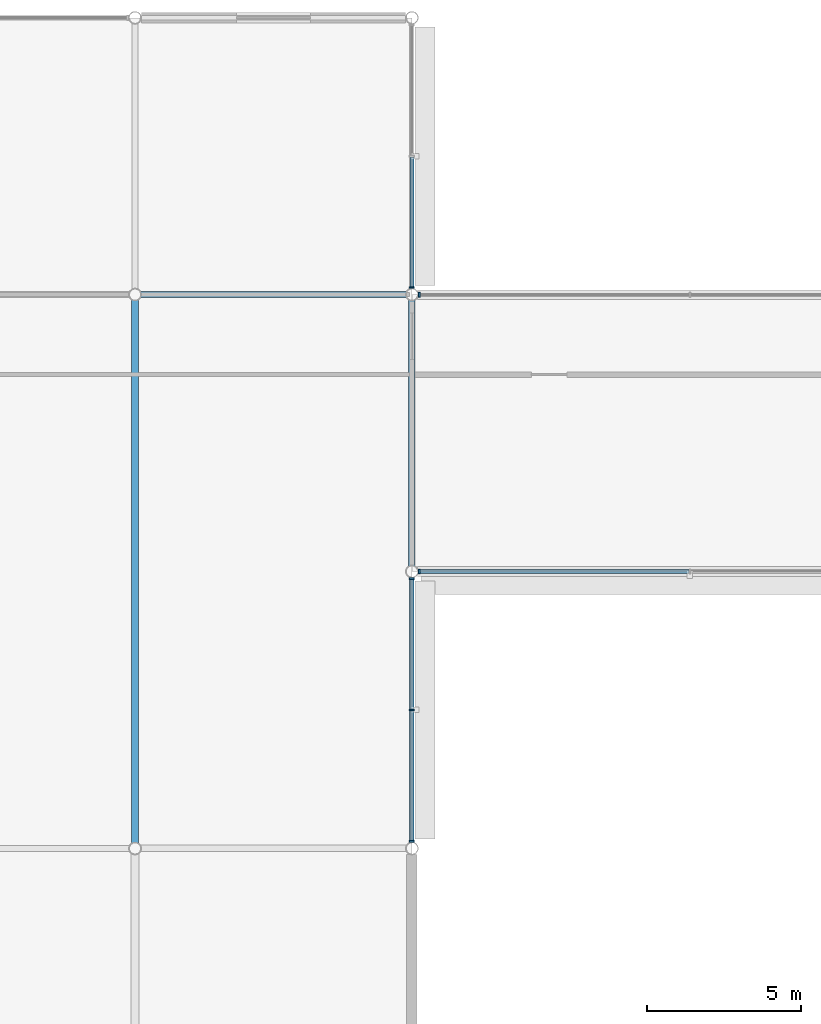
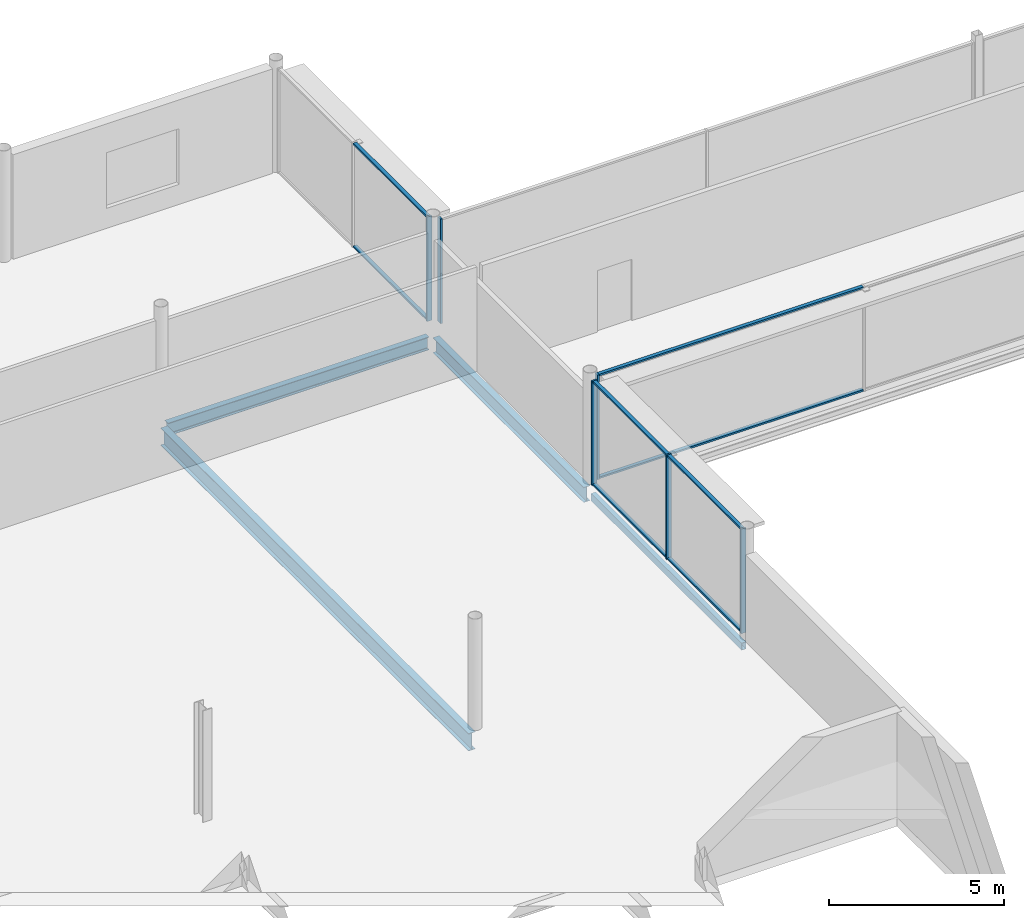
# One storey, part 31 of 96: 14 members, 4 beams, 4 elements without a shape of their own.
"""IFC4 building model written with IfcOpenShell, lengths in metres."""

import ifcopenshell
import ifcopenshell.guid

model = None  # the IFC model being written
_history = None  # IfcOwnerHistory: only IFC2X3 demands one
_inside = {}  # id of a spatial element -> (the spatial element, [elements in it])
_under = {}  # id of a project, library or spatial element -> (it, [spatial elements below it])
_declared = {}  # id of a project -> (the project, [libraries it declares])
_typed = {}  # id of a type object -> (the type object, [elements of that type])
_made_of = {}  # id of a material, layer set ... -> (it, [elements and type objects made of it])


def new_model(schema):
    """Start an empty IFC model of exactly this schema.

    Asked for "IFC4X3", IfcOpenShell would pick the latest addendum, in which some entities
    have other attributes; the version numbers below select the first issue.
    IFC2X3 requires an IfcOwnerHistory on every rooted entity: one is made here for all.
    """
    global model, _history
    if schema == "IFC4X3":
        model = ifcopenshell.file(schema_version=(4, 3, 0, 0))
    else:
        model = ifcopenshell.file(schema=schema)
    _inside.clear()
    _under.clear()
    _declared.clear()
    _typed.clear()
    _made_of.clear()
    _history = None
    if model.schema == "IFC2X3":
        org = make("IfcOrganization", Name="unknown")
        user = make(
            "IfcPersonAndOrganization",
            ThePerson=make("IfcPerson", FamilyName="unknown"),
            TheOrganization=org,
        )
        app = make(
            "IfcApplication",
            ApplicationDeveloper=org,
            Version="unknown",
            ApplicationFullName="unknown",
            ApplicationIdentifier="unknown",
        )
        _history = make(
            "IfcOwnerHistory",
            OwningUser=user,
            OwningApplication=app,
            ChangeAction="ADDED",
            CreationDate=0,
        )
    return model


def make(cls, **values):
    """One entity of the class cls with the attributes given. An attribute that is None is left unset."""
    return model.create_entity(
        cls, **{name: value for name, value in values.items() if value is not None}
    )


def rooted(cls, **values):
    """An entity with a GlobalId (a new one), such as an element, a storey or a relation."""
    return make(cls, GlobalId=ifcopenshell.guid.new(), OwnerHistory=_history, **values)


def si_unit(unit_type, name, prefix=None):
    """IfcSIUnit, for example si_unit("LENGTHUNIT", "METRE", prefix="MILLI")."""
    return make("IfcSIUnit", UnitType=unit_type, Prefix=prefix, Name=name)


def assignment(units):
    """IfcUnitAssignment: the units of a project."""
    return None if units is None else make("IfcUnitAssignment", Units=units)


def point(xyz):
    """IfcCartesianPoint."""
    return None if xyz is None else make("IfcCartesianPoint", Coordinates=xyz)


def direction(xyz):
    """IfcDirection."""
    return None if xyz is None else make("IfcDirection", DirectionRatios=xyz)


def frame(location, z_axis=None, x_axis=None):
    """IfcAxis2Placement3D, a coordinate frame: its origin and axes. An axis left out is left unset."""
    return make(
        "IfcAxis2Placement3D",
        Location=point(location),
        Axis=direction(z_axis),
        RefDirection=direction(x_axis),
    )


def frame_2d(location, x_axis=None):
    """IfcAxis2Placement2D, a coordinate frame in the plane: its origin and x axis."""
    return make(
        "IfcAxis2Placement2D", Location=point(location), RefDirection=direction(x_axis)
    )


def origin():
    """The frame at (0, 0, 0) with its axes left unset."""
    return frame((0.0, 0.0, 0.0))


def origin_2d():
    """The frame at (0, 0) in the plane with its x axis left unset."""
    return frame_2d((0.0, 0.0))


def place(relative_to, where):
    """IfcLocalPlacement: puts the frame where relative to a parent placement (None: the world)."""
    return make(
        "IfcLocalPlacement", PlacementRelTo=relative_to, RelativePlacement=where
    )


def context(
    kind, dimensions, precision=None, world=None, true_north=None, identifier=None
):
    """IfcGeometricRepresentationContext, for example the 3D "Model" context."""
    return make(
        "IfcGeometricRepresentationContext",
        ContextIdentifier=identifier,
        ContextType=kind,
        CoordinateSpaceDimension=dimensions,
        Precision=precision,
        WorldCoordinateSystem=world,
        TrueNorth=true_north,
    )


def subcontext(parent, identifier, kind, view, scale=None):
    """IfcGeometricRepresentationSubContext, for example "Body" below "Model"."""
    return make(
        "IfcGeometricRepresentationSubContext",
        ContextIdentifier=identifier,
        ContextType=kind,
        ParentContext=parent,
        TargetScale=scale,
        TargetView=view,
    )


def project(units=None, contexts=None):
    """IfcProject with its units and contexts."""
    return rooted(
        "IfcProject",
        Name="project",
        RepresentationContexts=contexts,
        UnitsInContext=assignment(units),
    )


def spatial(cls, under=None, at=None, **own):
    """A site, building, storey or space (cls), placed at a placement, below another one or the project."""
    s = rooted(cls, ObjectPlacement=at, **own)
    if under is not None:
        _under.setdefault(under.id(), (under, []))[1].append(s)
    return s


def profile(cls, at=None, kind="AREA", **sizes):
    """A parametric profile (cls). Its sizes go by their IFC names, for example OverallWidth=200.0."""
    return make(cls, ProfileType=kind, Position=at, **sizes)


def rectangle(**sizes):
    """IfcRectangleProfileDef."""
    return profile("IfcRectangleProfileDef", **sizes)


def hollow_rectangle(**sizes):
    """IfcRectangleHollowProfileDef."""
    return profile("IfcRectangleHollowProfileDef", **sizes)


def i_section(**sizes):
    """IfcIShapeProfileDef."""
    return profile("IfcIShapeProfileDef", **sizes)


def extrude(swept, where, along, depth):
    """IfcExtrudedAreaSolid: the profile swept, set in the frame where, extruded along a direction by depth."""
    return make(
        "IfcExtrudedAreaSolid",
        SweptArea=swept,
        Position=where,
        ExtrudedDirection=direction(along),
        Depth=depth,
    )


def shape(context_of_items, identifier, shape_type, items):
    """IfcShapeRepresentation: the items that make up one representation, for example the "Body"."""
    return make(
        "IfcShapeRepresentation",
        ContextOfItems=context_of_items,
        RepresentationIdentifier=identifier,
        RepresentationType=shape_type,
        Items=items,
    )


def material(Name=None, Category=None):
    """IfcMaterial."""
    return make("IfcMaterial", Name=Name, Category=Category)


def layer(
    of_material, thickness, ventilated=None, Name=None, Category=None, Priority=None
):
    """IfcMaterialLayer: one layer of a wall or slab, of a material (None: an air gap)."""
    return make(
        "IfcMaterialLayer",
        Material=of_material,
        LayerThickness=thickness,
        IsVentilated=ventilated,
        Name=Name,
        Category=Category,
        Priority=Priority,
    )


def layer_set(layers, Name=None):
    """IfcMaterialLayerSet."""
    return make("IfcMaterialLayerSet", MaterialLayers=layers, LayerSetName=Name)


def material_profile(
    of_material, cross_section, Name=None, Category=None, Priority=None
):
    """IfcMaterialProfile: a cross section and its material."""
    return make(
        "IfcMaterialProfile",
        Name=Name,
        Material=of_material,
        Profile=cross_section,
        Priority=Priority,
        Category=Category,
    )


def profile_set(profiles, Name=None, composite=None):
    """IfcMaterialProfileSet."""
    return make(
        "IfcMaterialProfileSet",
        Name=Name,
        MaterialProfiles=profiles,
        CompositeProfile=composite,
    )


def made_of(thing, what):
    """Note that an element or type object is made of a material, layer set ...; save() writes the relation."""
    if what is not None:
        _made_of.setdefault(what.id(), (what, []))[1].append(thing)
    return thing


def type_object(cls, material=None, **own):
    """A type object (cls), such as IfcWallType, which elements share."""
    return made_of(rooted(cls, **own), material)


def element(
    cls,
    number,
    at=None,
    inside=None,
    cuts=None,
    type_object=None,
    material=None,
    context=None,
    identifier="Body",
    shape_type=None,
    held_by="IfcProductDefinitionShape",
    body=None,
    shapes=None,
    **own,
):
    """One element of the class cls, such as IfcWall. Its Tag is "e" and its number.

    at: its placement. inside: the storey or other place that contains it. cuts: it is an
    opening in that element (IfcRelVoidsElement). A single representation is given by context,
    identifier, shape_type and body (its items); several are given by shapes. held_by: the class
    of the entity that holds the representations. save() writes the other relations.
    """
    e = rooted(cls, Tag="e%d" % number, ObjectPlacement=at, **own)
    if body is not None:
        shapes = [shape(context, identifier, shape_type, body)]
    if shapes is not None:
        e.Representation = make(held_by, Representations=shapes)
    if inside is not None:
        _inside.setdefault(inside.id(), (inside, []))[1].append(e)
    if cuts is not None:
        rooted(
            "IfcRelVoidsElement", RelatingBuildingElement=cuts, RelatedOpeningElement=e
        )
    if type_object is not None:
        _typed.setdefault(type_object.id(), (type_object, []))[1].append(e)
    return made_of(e, material)


def aggregate(whole, parts):
    """IfcRelAggregates: a whole, such as a stair, and the parts it consists of."""
    return rooted("IfcRelAggregates", RelatingObject=whole, RelatedObjects=parts)


def save(model, path):
    """Write the relations noted so far, then the file.

    IfcRelAggregates (storeys below a building ...), IfcRelContainedInSpatialStructure (elements
    in a storey), IfcRelDefinesByType, IfcRelAssociatesMaterial and IfcRelDeclares: one each for
    every whole, place, type object, material and project.
    """
    for whole, parts in _under.values():
        aggregate(whole, parts)
    for where, things in _inside.values():
        rooted(
            "IfcRelContainedInSpatialStructure",
            RelatedElements=things,
            RelatingStructure=where,
        )
    for kind, things in _typed.values():
        rooted("IfcRelDefinesByType", RelatedObjects=things, RelatingType=kind)
    for what, things in _made_of.values():
        rooted("IfcRelAssociatesMaterial", RelatedObjects=things, RelatingMaterial=what)
    for by, libraries in _declared.values():
        rooted("IfcRelDeclares", RelatingContext=by, RelatedDefinitions=libraries)
    model.write(path)


model = new_model("IFC4")

# Units and contexts
model_context = context("Model", 3, precision=1e-05, world=origin(), true_north=direction((0.0, 1.0)))
body_context = subcontext(model_context, "Body", "Model", "MODEL_VIEW")
ifc_project = project(units=[si_unit("LENGTHUNIT", "METRE"), si_unit("AREAUNIT", "SQUARE_METRE"), si_unit("VOLUMEUNIT", "CUBIC_METRE"), si_unit("PLANEANGLEUNIT", "RADIAN"), si_unit("MASSUNIT", "GRAM", prefix="KILO")], contexts=[model_context])

# Site, building, storey
site_placement = place(None, origin())
site = spatial("IfcSite", under=ifc_project, at=site_placement, CompositionType="ELEMENT")
building_placement = place(site_placement, origin())
building = spatial("IfcBuilding", under=site, at=building_placement, Name="Kisiwana Market Hall", CompositionType="ELEMENT")
storey_placement = place(building_placement, frame((0.0, 0.0, 25.5)))
storey = spatial("IfcBuildingStorey", under=building, at=storey_placement, Name="L05", CompositionType="ELEMENT", Elevation=25.5)

# Beams
ifc_material_1 = material(Name="Steel S355", Category="steel")
ifc_material_profile_1 = material_profile(ifc_material_1, i_section(OverallWidth=0.18994140625, OverallDepth=0.449951171875, WebThickness=0.009521484375, FlangeThickness=0.0146484375, FilletRadius=0.02099609375, at=origin_2d()), Name="IPE 450")
ifc_profile_set_1 = profile_set([ifc_material_profile_1], Name="Steel S355")
beam_type_1 = type_object("IfcBeamType", Name="BM-GIRD-IPE450", PredefinedType="BEAM", material=ifc_profile_set_1)
beam_1_placement = place(storey_placement, frame((36.182373046875, 102.0, -0.5400390625), z_axis=(1.0, 0.0, 0.0), x_axis=(0.0, 1.0, 0.0)))
element("IfcBeam", 1, at=beam_1_placement, inside=storey, type_object=beam_type_1, Name="Floor beam B-1650", PredefinedType="BEAM", context=body_context, shape_type="SweptSolid", body=[
    extrude(i_section(OverallWidth=0.18994140625, OverallDepth=0.449951171875, WebThickness=0.009521484375, FlangeThickness=0.0146484375, FilletRadius=0.02099609375, at=origin_2d()), origin(), (0.0, 0.0, 1.0), 8.63525390625),
])
ifc_material_2 = material(Name="Steel S355", Category="steel")
ifc_material_profile_2 = material_profile(ifc_material_2, i_section(OverallWidth=0.209228515625, OverallDepth=0.533203125, WebThickness=0.010009765625, FlangeThickness=0.015625, at=origin_2d()), Name="UB 533x210x92")
ifc_profile_set_2 = profile_set([ifc_material_profile_2], Name="Steel S355")
beam_type_2 = type_object("IfcBeamType", Name="BM-GIRD-UB533", PredefinedType="BEAM", material=ifc_profile_set_2)
beam_2_placement = place(storey_placement, frame((45.0, 93.18017578125, -0.58154296875), z_axis=(0.0, 1.0, 0.0), x_axis=(-1.0, 0.0, 0.0)))
element("IfcBeam", 2, at=beam_2_placement, inside=storey, type_object=beam_type_2, Name="Primary girder B-1538", PredefinedType="BEAM", context=body_context, shape_type="SweptSolid", body=[
    extrude(i_section(OverallWidth=0.209228515625, OverallDepth=0.533203125, WebThickness=0.010009765625, FlangeThickness=0.015625, at=origin_2d()), origin(), (0.0, 0.0, 1.0), 8.6396484375),
])
ifc_material_3 = material(Name="Steel S355", Category="steel")
ifc_material_profile_3 = material_profile(ifc_material_3, i_section(OverallWidth=0.22900390625, OverallDepth=0.6123046875, WebThickness=0.011962890625, FlangeThickness=0.01953125, at=origin_2d()), Name="UB 610x229x125")
ifc_profile_set_3 = profile_set([ifc_material_profile_3], Name="Steel S355")
beam_type_3 = type_object("IfcBeamType", Name="BM-GIRD-UB610H", PredefinedType="BEAM", material=ifc_profile_set_3)
beam_3_placement = place(storey_placement, frame((36.0, 84.18017578125, -0.62109375), z_axis=(0.0, 1.0, 0.0), x_axis=(-1.0, 0.0, 0.0)))
element("IfcBeam", 3, at=beam_3_placement, inside=storey, type_object=beam_type_3, Name="Primary girder B-1535", PredefinedType="BEAM", context=body_context, shape_type="SweptSolid", body=[
    extrude(i_section(OverallWidth=0.22900390625, OverallDepth=0.6123046875, WebThickness=0.011962890625, FlangeThickness=0.01953125, at=origin_2d()), origin(), (0.0, 0.0, 1.0), 17.6396484375),
])
ifc_material_4 = material(Name="Steel S355", Category="steel")
ifc_material_profile_4 = material_profile(ifc_material_4, hollow_rectangle(XDim=0.14990234375, YDim=0.25, WallThickness=0.010009765625, at=origin_2d()), Name="RHS 250x150x10.0")
ifc_profile_set_4 = profile_set([ifc_material_profile_4], Name="Steel S355")
beam_type_4 = type_object("IfcBeamType", Name="BM-SPAN-RHS250", PredefinedType="SPANDREL", material=ifc_profile_set_4)
beam_4_placement = place(storey_placement, frame((45.0, 84.18017578125, -0.43994140625), z_axis=(0.0, 1.0, 0.0), x_axis=(-1.0, 0.0, 0.0)))
element("IfcBeam", 4, at=beam_4_placement, inside=storey, type_object=beam_type_4, Name="Floor beam B-1681", PredefinedType="SPANDREL", context=body_context, shape_type="SweptSolid", body=[
    extrude(hollow_rectangle(XDim=0.14990234375, YDim=0.25, WallThickness=0.010009765625, at=origin_2d()), origin(), (0.0, 0.0, 1.0), 8.6396484375),
])

# Curtain wall, member
ifc_material_5 = material(Name="Double-glazed solar-control low-E IGU", Category="glass")
ifc_layer = layer(ifc_material_5, 0.159912109375)
ifc_layer_set = layer_set([ifc_layer], Name="CW-ZNA-EW-8200")
curtain_wall_type = type_object("IfcCurtainWallType", Name="CW-ZNA-EW-8200", PredefinedType="USERDEFINED", material=ifc_layer_set)
curtain_wall_1_placement = place(storey_placement, origin())
curtain_wall_1 = element("IfcCurtainWall", 5, at=curtain_wall_1_placement, inside=storey, type_object=curtain_wall_type, Name="Unitised curtain wall CW-144 (L05)", ObjectType="UNITISED CURTAIN WALL", PredefinedType="USERDEFINED")
ifc_material_6 = material(Name="Aluminium alloy 6063-T6", Category="aluminium")
ifc_material_profile_5 = material_profile(ifc_material_6, rectangle(XDim=0.06005859375, YDim=0.159912109375, at=origin_2d()), Name="ALU MULLION 60x160")
ifc_profile_set_5 = profile_set([ifc_material_profile_5], Name="Aluminium alloy 6063-T6")
member_type_1 = type_object("IfcMemberType", Name="CW-MULL-60x160", PredefinedType="MULLION", material=ifc_profile_set_5)
member_1_placement = place(storey_placement, frame((45.233154296875, 93.0, 0.0), z_axis=(0.0, 0.0, 1.0), x_axis=(1.0, 0.0, 0.0)))
member_1 = element("IfcMember", 6, at=member_1_placement, type_object=member_type_1, Name="CW-144 mullion 1", PredefinedType="MULLION", context=body_context, shape_type="SweptSolid", body=[
    extrude(rectangle(XDim=0.06005859375, YDim=0.159912109375, at=origin_2d()), origin(), (0.0, 0.0, 1.0), 3.655029296875),
])

curtain_wall_2_placement = place(storey_placement, origin())
curtain_wall_2 = element("IfcCurtainWall", 7, at=curtain_wall_2_placement, inside=storey, type_object=curtain_wall_type, Name="Unitised curtain wall CW-150 (L05)", ObjectType="UNITISED CURTAIN WALL", PredefinedType="USERDEFINED")
member_2_placement = place(storey_placement, frame((45.233154296875, 102.0, 0.0), z_axis=(0.0, 0.0, 1.0), x_axis=(1.0, 0.0, 0.0)))
member_2 = element("IfcMember", 8, at=member_2_placement, type_object=member_type_1, Name="CW-150 mullion 1", PredefinedType="MULLION", context=body_context, shape_type="SweptSolid", body=[
    extrude(rectangle(XDim=0.06005859375, YDim=0.159912109375, at=origin_2d()), origin(), (0.0, 0.0, 1.0), 3.655029296875),
])
aggregate(curtain_wall_2, [member_2])

# Curtain wall, members
curtain_wall_3_placement = place(storey_placement, origin())
curtain_wall_3 = element("IfcCurtainWall", 9, at=curtain_wall_3_placement, inside=storey, type_object=curtain_wall_type, Name="Unitised curtain wall CW-162 (L05)", ObjectType="UNITISED CURTAIN WALL", PredefinedType="USERDEFINED")
member_3_placement = place(storey_placement, frame((45.0, 84.233154296875, 0.0), z_axis=(0.0, 0.0, 1.0), x_axis=(0.0, 1.0, 0.0)))
member_3 = element("IfcMember", 10, at=member_3_placement, type_object=member_type_1, Name="CW-162 mullion 1", PredefinedType="MULLION", context=body_context, shape_type="SweptSolid", body=[
    extrude(rectangle(XDim=0.06005859375, YDim=0.159912109375, at=origin_2d()), origin(), (0.0, 0.0, 1.0), 3.655029296875),
])
member_4_placement = place(storey_placement, frame((45.0, 88.5, 0.0), z_axis=(0.0, 0.0, 1.0), x_axis=(0.0, 1.0, 0.0)))
member_4 = element("IfcMember", 11, at=member_4_placement, type_object=member_type_1, Name="CW-162 mullion 2", PredefinedType="MULLION", context=body_context, shape_type="SweptSolid", body=[
    extrude(rectangle(XDim=0.06005859375, YDim=0.159912109375, at=origin_2d()), origin(), (0.0, 0.0, 1.0), 3.655029296875),
])
member_5_placement = place(storey_placement, frame((45.0, 92.766845703125, 0.0), z_axis=(0.0, 0.0, 1.0), x_axis=(0.0, 1.0, 0.0)))
member_5 = element("IfcMember", 12, at=member_5_placement, type_object=member_type_1, Name="CW-162 mullion 3", PredefinedType="MULLION", context=body_context, shape_type="SweptSolid", body=[
    extrude(rectangle(XDim=0.06005859375, YDim=0.159912109375, at=origin_2d()), origin(), (0.0, 0.0, 1.0), 3.655029296875),
])

# Curtain wall, member
curtain_wall_4_placement = place(storey_placement, origin())
curtain_wall_4 = element("IfcCurtainWall", 13, at=curtain_wall_4_placement, inside=storey, type_object=curtain_wall_type, Name="Unitised curtain wall CW-163 (L05)", ObjectType="UNITISED CURTAIN WALL", PredefinedType="USERDEFINED")
member_6_placement = place(storey_placement, frame((45.0, 102.233154296875, 0.0), z_axis=(0.0, 0.0, 1.0), x_axis=(0.0, 1.0, 0.0)))
member_6 = element("IfcMember", 14, at=member_6_placement, type_object=member_type_1, Name="CW-163 mullion 1", PredefinedType="MULLION", context=body_context, shape_type="SweptSolid", body=[
    extrude(rectangle(XDim=0.06005859375, YDim=0.159912109375, at=origin_2d()), origin(), (0.0, 0.0, 1.0), 3.655029296875),
])

# Member
ifc_material_7 = material(Name="Aluminium alloy 6063-T6", Category="aluminium")
ifc_material_profile_6 = material_profile(ifc_material_7, rectangle(XDim=0.1201171875, YDim=0.06005859375, at=origin_2d()), Name="ALU TRANSOM 60x120")
ifc_profile_set_6 = profile_set([ifc_material_profile_6], Name="Aluminium alloy 6063-T6")
member_type_2 = type_object("IfcMemberType", Name="CW-TRAN-60x120", PredefinedType="USERDEFINED", material=ifc_profile_set_6)
member_7_placement = place(storey_placement, frame((45.26318359375, 93.0, 0.030029296875), z_axis=(1.0, 0.0, 0.0), x_axis=(0.0, 1.0, 0.0)))
member_7 = element("IfcMember", 15, at=member_7_placement, type_object=member_type_2, Name="CW-144 transom 1.1", ObjectType="TRANSOM", PredefinedType="USERDEFINED", context=body_context, shape_type="SweptSolid", body=[
    extrude(rectangle(XDim=0.1201171875, YDim=0.06005859375, at=origin_2d()), origin(), (0.0, 0.0, 1.0), 8.745849609375),
])

member_8_placement = place(storey_placement, frame((45.26318359375, 93.0, 3.625), z_axis=(1.0, 0.0, 0.0), x_axis=(0.0, 1.0, 0.0)))
member_8 = element("IfcMember", 16, at=member_8_placement, type_object=member_type_2, Name="CW-144 transom 1.2", ObjectType="TRANSOM", PredefinedType="USERDEFINED", context=body_context, shape_type="SweptSolid", body=[
    extrude(rectangle(XDim=0.1201171875, YDim=0.06005859375, at=origin_2d()), origin(), (0.0, 0.0, 1.0), 8.745849609375),
])

aggregate(curtain_wall_1, [member_1, member_7, member_8])

member_9_placement = place(storey_placement, frame((45.0, 84.26318359375, 0.030029296875), z_axis=(0.0, 1.0, 0.0), x_axis=(-1.0, 0.0, 0.0)))
member_9 = element("IfcMember", 17, at=member_9_placement, type_object=member_type_2, Name="CW-162 transom 1.1", ObjectType="TRANSOM", PredefinedType="USERDEFINED", context=body_context, shape_type="SweptSolid", body=[
    extrude(rectangle(XDim=0.1201171875, YDim=0.06005859375, at=origin_2d()), origin(), (0.0, 0.0, 1.0), 4.206787109375),
])

member_10_placement = place(storey_placement, frame((45.0, 84.26318359375, 3.625), z_axis=(0.0, 1.0, 0.0), x_axis=(-1.0, 0.0, 0.0)))
member_10 = element("IfcMember", 18, at=member_10_placement, type_object=member_type_2, Name="CW-162 transom 1.2", ObjectType="TRANSOM", PredefinedType="USERDEFINED", context=body_context, shape_type="SweptSolid", body=[
    extrude(rectangle(XDim=0.1201171875, YDim=0.06005859375, at=origin_2d()), origin(), (0.0, 0.0, 1.0), 4.206787109375),
])

member_11_placement = place(storey_placement, frame((45.0, 88.530029296875, 0.030029296875), z_axis=(0.0, 1.0, 0.0), x_axis=(-1.0, 0.0, 0.0)))
member_11 = element("IfcMember", 19, at=member_11_placement, type_object=member_type_2, Name="CW-162 transom 2.1", ObjectType="TRANSOM", PredefinedType="USERDEFINED", context=body_context, shape_type="SweptSolid", body=[
    extrude(rectangle(XDim=0.1201171875, YDim=0.06005859375, at=origin_2d()), origin(), (0.0, 0.0, 1.0), 4.206787109375),
])

member_12_placement = place(storey_placement, frame((45.0, 88.530029296875, 3.625), z_axis=(0.0, 1.0, 0.0), x_axis=(-1.0, 0.0, 0.0)))
member_12 = element("IfcMember", 20, at=member_12_placement, type_object=member_type_2, Name="CW-162 transom 2.2", ObjectType="TRANSOM", PredefinedType="USERDEFINED", context=body_context, shape_type="SweptSolid", body=[
    extrude(rectangle(XDim=0.1201171875, YDim=0.06005859375, at=origin_2d()), origin(), (0.0, 0.0, 1.0), 4.206787109375),
])

aggregate(curtain_wall_3, [member_3, member_4, member_5, member_9, member_10, member_11, member_12])

member_13_placement = place(storey_placement, frame((45.0, 102.26318359375, 0.030029296875), z_axis=(0.0, 1.0, 0.0), x_axis=(-1.0, 0.0, 0.0)))
member_13 = element("IfcMember", 21, at=member_13_placement, type_object=member_type_2, Name="CW-163 transom 1.1", ObjectType="TRANSOM", PredefinedType="USERDEFINED", context=body_context, shape_type="SweptSolid", body=[
    extrude(rectangle(XDim=0.1201171875, YDim=0.06005859375, at=origin_2d()), origin(), (0.0, 0.0, 1.0), 4.206787109375),
])

member_14_placement = place(storey_placement, frame((45.0, 102.26318359375, 3.625), z_axis=(0.0, 1.0, 0.0), x_axis=(-1.0, 0.0, 0.0)))
member_14 = element("IfcMember", 22, at=member_14_placement, type_object=member_type_2, Name="CW-163 transom 1.2", ObjectType="TRANSOM", PredefinedType="USERDEFINED", context=body_context, shape_type="SweptSolid", body=[
    extrude(rectangle(XDim=0.1201171875, YDim=0.06005859375, at=origin_2d()), origin(), (0.0, 0.0, 1.0), 4.206787109375),
])

aggregate(curtain_wall_4, [member_6, member_13, member_14])

save(model, "model.ifc")
